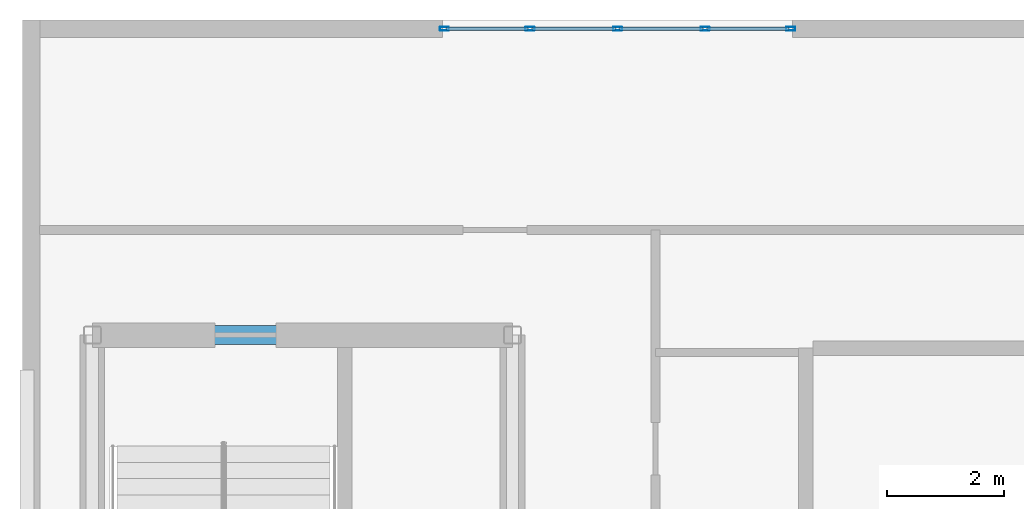
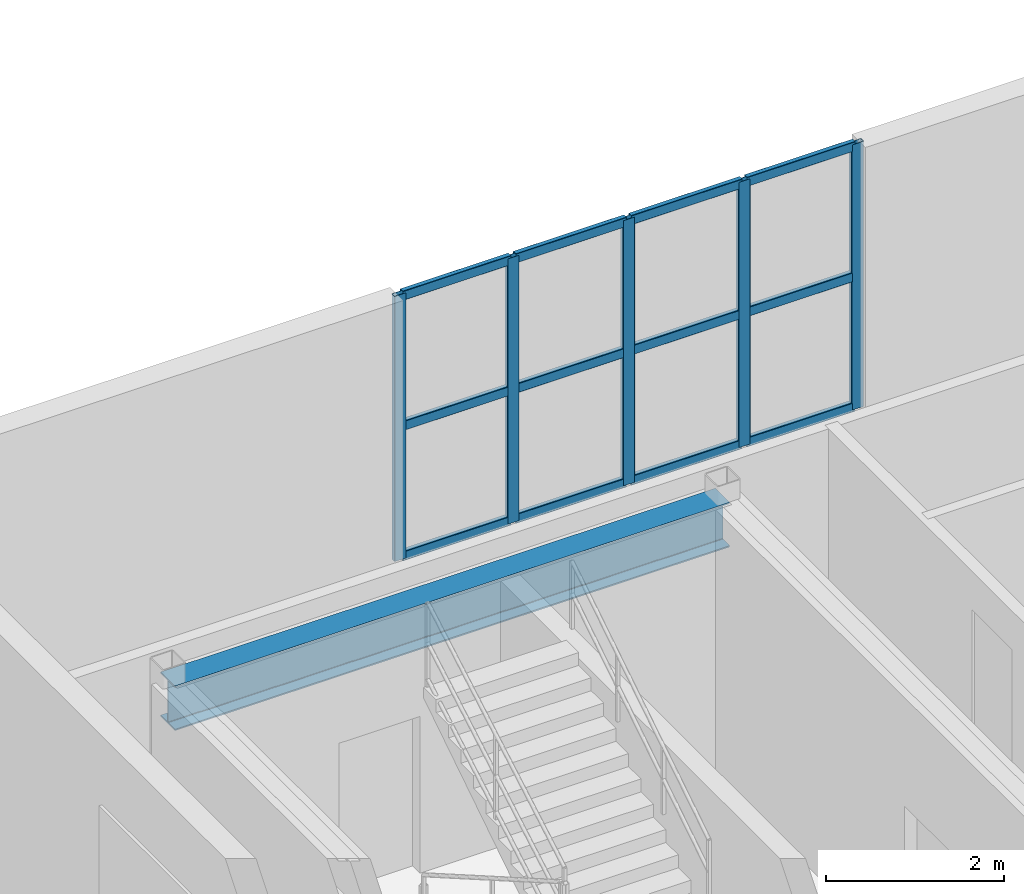
# One storey, part 3 of 6: 17 members, 1 beam, 1 element without a shape of its own.
"""IFC4 building model written with IfcOpenShell, lengths in metres."""

import ifcopenshell
import ifcopenshell.guid

model = None  # the IFC model being written
_history = None  # IfcOwnerHistory: only IFC2X3 demands one
_inside = {}  # id of a spatial element -> (the spatial element, [elements in it])
_under = {}  # id of a project, library or spatial element -> (it, [spatial elements below it])
_declared = {}  # id of a project -> (the project, [libraries it declares])
_typed = {}  # id of a type object -> (the type object, [elements of that type])
_made_of = {}  # id of a material, layer set ... -> (it, [elements and type objects made of it])


def new_model(schema):
    """Start an empty IFC model of exactly this schema.

    Asked for "IFC4X3", IfcOpenShell would pick the latest addendum, in which some entities
    have other attributes; the version numbers below select the first issue.
    IFC2X3 requires an IfcOwnerHistory on every rooted entity: one is made here for all.
    """
    global model, _history
    if schema == "IFC4X3":
        model = ifcopenshell.file(schema_version=(4, 3, 0, 0))
    else:
        model = ifcopenshell.file(schema=schema)
    _inside.clear()
    _under.clear()
    _declared.clear()
    _typed.clear()
    _made_of.clear()
    _history = None
    if model.schema == "IFC2X3":
        org = make("IfcOrganization", Name="unknown")
        user = make(
            "IfcPersonAndOrganization",
            ThePerson=make("IfcPerson", FamilyName="unknown"),
            TheOrganization=org,
        )
        app = make(
            "IfcApplication",
            ApplicationDeveloper=org,
            Version="unknown",
            ApplicationFullName="unknown",
            ApplicationIdentifier="unknown",
        )
        _history = make(
            "IfcOwnerHistory",
            OwningUser=user,
            OwningApplication=app,
            ChangeAction="ADDED",
            CreationDate=0,
        )
    return model


def make(cls, **values):
    """One entity of the class cls with the attributes given. An attribute that is None is left unset."""
    return model.create_entity(
        cls, **{name: value for name, value in values.items() if value is not None}
    )


def entity(cls, *values):
    """Any entity or typed value of the class cls, its attributes in the order of the schema. None: left unset."""
    e = model.create_entity(cls)
    for i, value in enumerate(values):
        if value is not None:
            e[i] = value
    return e


def rooted(cls, **values):
    """An entity with a GlobalId (a new one), such as an element, a storey or a relation."""
    return make(cls, GlobalId=ifcopenshell.guid.new(), OwnerHistory=_history, **values)


def si_unit(unit_type, name, prefix=None):
    """IfcSIUnit, for example si_unit("LENGTHUNIT", "METRE", prefix="MILLI")."""
    return make("IfcSIUnit", UnitType=unit_type, Prefix=prefix, Name=name)


def converted_unit(unit_type, name, factor, base, dimensions=None, offset=None):
    """IfcConversionBasedUnit, such as the inch: factor (a typed value) times the base unit."""
    return make(
        "IfcConversionBasedUnit"
        if offset is None
        else "IfcConversionBasedUnitWithOffset",
        ConversionOffset=offset,
        Dimensions=None
        if dimensions is None
        else entity("IfcDimensionalExponents", *dimensions),
        UnitType=unit_type,
        Name=name,
        ConversionFactor=make(
            "IfcMeasureWithUnit", ValueComponent=factor, UnitComponent=base
        ),
    )


def assignment(units):
    """IfcUnitAssignment: the units of a project."""
    return None if units is None else make("IfcUnitAssignment", Units=units)


def point(xyz):
    """IfcCartesianPoint."""
    return None if xyz is None else make("IfcCartesianPoint", Coordinates=xyz)


def direction(xyz):
    """IfcDirection."""
    return None if xyz is None else make("IfcDirection", DirectionRatios=xyz)


def frame(location, z_axis=None, x_axis=None):
    """IfcAxis2Placement3D, a coordinate frame: its origin and axes. An axis left out is left unset."""
    return make(
        "IfcAxis2Placement3D",
        Location=point(location),
        Axis=direction(z_axis),
        RefDirection=direction(x_axis),
    )


def frame_2d(location, x_axis=None):
    """IfcAxis2Placement2D, a coordinate frame in the plane: its origin and x axis."""
    return make(
        "IfcAxis2Placement2D", Location=point(location), RefDirection=direction(x_axis)
    )


def origin_with_axes():
    """The frame at (0, 0, 0) with the z axis (0, 0, 1) and the x axis (1, 0, 0) written out."""
    return frame((0.0, 0.0, 0.0), z_axis=(0.0, 0.0, 1.0), x_axis=(1.0, 0.0, 0.0))


def origin_2d_with_axis():
    """The frame at (0, 0) in the plane with the x axis (1, 0) written out."""
    return frame_2d((0.0, 0.0), x_axis=(1.0, 0.0))


def place(relative_to, where):
    """IfcLocalPlacement: puts the frame where relative to a parent placement (None: the world)."""
    return make(
        "IfcLocalPlacement", PlacementRelTo=relative_to, RelativePlacement=where
    )


def context(
    kind, dimensions, precision=None, world=None, true_north=None, identifier=None
):
    """IfcGeometricRepresentationContext, for example the 3D "Model" context."""
    return make(
        "IfcGeometricRepresentationContext",
        ContextIdentifier=identifier,
        ContextType=kind,
        CoordinateSpaceDimension=dimensions,
        Precision=precision,
        WorldCoordinateSystem=world,
        TrueNorth=true_north,
    )


def subcontext(parent, identifier, kind, view, scale=None):
    """IfcGeometricRepresentationSubContext, for example "Body" below "Model"."""
    return make(
        "IfcGeometricRepresentationSubContext",
        ContextIdentifier=identifier,
        ContextType=kind,
        ParentContext=parent,
        TargetScale=scale,
        TargetView=view,
    )


def project(units=None, contexts=None):
    """IfcProject with its units and contexts."""
    return rooted(
        "IfcProject",
        Name="project",
        RepresentationContexts=contexts,
        UnitsInContext=assignment(units),
    )


def spatial(cls, under=None, at=None, **own):
    """A site, building, storey or space (cls), placed at a placement, below another one or the project."""
    s = rooted(cls, ObjectPlacement=at, **own)
    if under is not None:
        _under.setdefault(under.id(), (under, []))[1].append(s)
    return s


def profile(cls, at=None, kind="AREA", **sizes):
    """A parametric profile (cls). Its sizes go by their IFC names, for example OverallWidth=200.0."""
    return make(cls, ProfileType=kind, Position=at, **sizes)


def hollow_rectangle(**sizes):
    """IfcRectangleHollowProfileDef."""
    return profile("IfcRectangleHollowProfileDef", **sizes)


def i_section(**sizes):
    """IfcIShapeProfileDef."""
    return profile("IfcIShapeProfileDef", **sizes)


def extrude(swept, where, along, depth):
    """IfcExtrudedAreaSolid: the profile swept, set in the frame where, extruded along a direction by depth."""
    return make(
        "IfcExtrudedAreaSolid",
        SweptArea=swept,
        Position=where,
        ExtrudedDirection=direction(along),
        Depth=depth,
    )


def shape(context_of_items, identifier, shape_type, items):
    """IfcShapeRepresentation: the items that make up one representation, for example the "Body"."""
    return make(
        "IfcShapeRepresentation",
        ContextOfItems=context_of_items,
        RepresentationIdentifier=identifier,
        RepresentationType=shape_type,
        Items=items,
    )


def material(Name=None, Category=None):
    """IfcMaterial."""
    return make("IfcMaterial", Name=Name, Category=Category)


def material_profile(
    of_material, cross_section, Name=None, Category=None, Priority=None
):
    """IfcMaterialProfile: a cross section and its material."""
    return make(
        "IfcMaterialProfile",
        Name=Name,
        Material=of_material,
        Profile=cross_section,
        Priority=Priority,
        Category=Category,
    )


def profile_set(profiles, Name=None, composite=None):
    """IfcMaterialProfileSet."""
    return make(
        "IfcMaterialProfileSet",
        Name=Name,
        MaterialProfiles=profiles,
        CompositeProfile=composite,
    )


def made_of(thing, what):
    """Note that an element or type object is made of a material, layer set ...; save() writes the relation."""
    if what is not None:
        _made_of.setdefault(what.id(), (what, []))[1].append(thing)
    return thing


def type_object(cls, material=None, **own):
    """A type object (cls), such as IfcWallType, which elements share."""
    return made_of(rooted(cls, **own), material)


def element(
    cls,
    number,
    at=None,
    inside=None,
    cuts=None,
    type_object=None,
    material=None,
    context=None,
    identifier="Body",
    shape_type=None,
    held_by="IfcProductDefinitionShape",
    body=None,
    shapes=None,
    **own,
):
    """One element of the class cls, such as IfcWall. Its Tag is "e" and its number.

    at: its placement. inside: the storey or other place that contains it. cuts: it is an
    opening in that element (IfcRelVoidsElement). A single representation is given by context,
    identifier, shape_type and body (its items); several are given by shapes. held_by: the class
    of the entity that holds the representations. save() writes the other relations.
    """
    e = rooted(cls, Tag="e%d" % number, ObjectPlacement=at, **own)
    if body is not None:
        shapes = [shape(context, identifier, shape_type, body)]
    if shapes is not None:
        e.Representation = make(held_by, Representations=shapes)
    if inside is not None:
        _inside.setdefault(inside.id(), (inside, []))[1].append(e)
    if cuts is not None:
        rooted(
            "IfcRelVoidsElement", RelatingBuildingElement=cuts, RelatedOpeningElement=e
        )
    if type_object is not None:
        _typed.setdefault(type_object.id(), (type_object, []))[1].append(e)
    return made_of(e, material)


def aggregate(whole, parts):
    """IfcRelAggregates: a whole, such as a stair, and the parts it consists of."""
    return rooted("IfcRelAggregates", RelatingObject=whole, RelatedObjects=parts)


def save(model, path):
    """Write the relations noted so far, then the file.

    IfcRelAggregates (storeys below a building ...), IfcRelContainedInSpatialStructure (elements
    in a storey), IfcRelDefinesByType, IfcRelAssociatesMaterial and IfcRelDeclares: one each for
    every whole, place, type object, material and project.
    """
    for whole, parts in _under.values():
        aggregate(whole, parts)
    for where, things in _inside.values():
        rooted(
            "IfcRelContainedInSpatialStructure",
            RelatedElements=things,
            RelatingStructure=where,
        )
    for kind, things in _typed.values():
        rooted("IfcRelDefinesByType", RelatedObjects=things, RelatingType=kind)
    for what, things in _made_of.values():
        rooted("IfcRelAssociatesMaterial", RelatedObjects=things, RelatingMaterial=what)
    for by, libraries in _declared.values():
        rooted("IfcRelDeclares", RelatingContext=by, RelatedDefinitions=libraries)
    model.write(path)


model = new_model("IFC4")

# Units and contexts
model_context = context("Model", 3, precision=1e-05, world=origin_with_axes(), true_north=direction((0.0, 1.0)))
body_context = subcontext(model_context, "Body", "Model", "MODEL_VIEW")
ifc_project = project(units=[si_unit("LENGTHUNIT", "METRE"), si_unit("AREAUNIT", "SQUARE_METRE"), si_unit("VOLUMEUNIT", "CUBIC_METRE"), converted_unit("PLANEANGLEUNIT", "DEGREE", entity("IfcPlaneAngleMeasure", 0.017453292519943295), si_unit("PLANEANGLEUNIT", "RADIAN"), dimensions=[0, 0, 0, 0, 0, 0, 0]), si_unit("MASSUNIT", "GRAM", prefix="KILO"), si_unit("THERMODYNAMICTEMPERATUREUNIT", "KELVIN")], contexts=[model_context])

# Site, building, storey
site_placement = place(None, origin_with_axes())
site = spatial("IfcSite", under=ifc_project, at=site_placement, CompositionType="ELEMENT")
building_placement = place(site_placement, origin_with_axes())
building = spatial("IfcBuilding", under=site, at=building_placement, Name="Varnlund Millrace Tower", CompositionType="ELEMENT")
storey_placement = place(building_placement, frame((0.0, 0.0, 320.4), z_axis=(0.0, 0.0, 1.0), x_axis=(1.0, 0.0, 0.0)))
storey = spatial("IfcBuildingStorey", under=building, at=storey_placement, Name="L79", CompositionType="ELEMENT", Elevation=320.4)

# Curtain wall, members
ifc_material_1 = material(Name="Thermally broken architectural bronze curtain wall", Category="aluminium")
curtain_wall_type = type_object("IfcCurtainWallType", Name="Type-CW-Sys7-CrownLantern", PredefinedType="NOTDEFINED", material=ifc_material_1)
curtain_wall_placement = place(storey_placement, frame((17.4, 43.05, 0.0), z_axis=(0.0, 0.0, 1.0), x_axis=(1.0, 0.0, 0.0)))
curtain_wall = element("IfcCurtainWall", 1, at=curtain_wall_placement, inside=storey, type_object=curtain_wall_type, Name="Type-CW-Sys7-CrownLantern", PredefinedType="NOTDEFINED")
ifc_material_2 = material(Name="Architectural bronze aluminium alloy 6063-T6", Category="aluminium")
ifc_material_profile_1 = material_profile(ifc_material_2, hollow_rectangle(XDim=0.065, YDim=0.155, WallThickness=0.0045, InnerFilletRadius=0.004, OuterFilletRadius=0.009, at=origin_2d_with_axis()), Name="Architectural bronze aluminium alloy 6063-T6")
ifc_profile_set_1 = profile_set([ifc_material_profile_1], Name="Architectural bronze aluminium alloy 6063-T6")
member_type_1 = type_object("IfcMemberType", Name="Type-CW-Mullion-65X155", PredefinedType="MULLION", material=ifc_profile_set_1)
member_1_placement = place(storey_placement, frame((17.4325, 43.05, 0.0), z_axis=(0.0, 0.0, 1.0), x_axis=(0.0, 1.0, 0.0)))
member_1 = element("IfcMember", 2, at=member_1_placement, type_object=member_type_1, Name="CW-07 mullion 1", PredefinedType="MULLION", context=body_context, shape_type="SweptSolid", body=[
    extrude(hollow_rectangle(XDim=0.065, YDim=0.155, WallThickness=0.0045, InnerFilletRadius=0.004, OuterFilletRadius=0.009, at=origin_2d_with_axis()), origin_with_axes(), (0.0, 0.0, 1.0), 3.64),
])
member_2_placement = place(storey_placement, frame((18.9, 43.05, 0.0), z_axis=(0.0, 0.0, 1.0), x_axis=(0.0, 1.0, 0.0)))
member_2 = element("IfcMember", 3, at=member_2_placement, type_object=member_type_1, Name="CW-07 mullion 2", PredefinedType="MULLION", context=body_context, shape_type="SweptSolid", body=[
    extrude(hollow_rectangle(XDim=0.065, YDim=0.155, WallThickness=0.0045, InnerFilletRadius=0.004, OuterFilletRadius=0.009, at=origin_2d_with_axis()), origin_with_axes(), (0.0, 0.0, 1.0), 3.64),
])
member_3_placement = place(storey_placement, frame((20.4, 43.05, 0.0), z_axis=(0.0, 0.0, 1.0), x_axis=(0.0, 1.0, 0.0)))
member_3 = element("IfcMember", 4, at=member_3_placement, type_object=member_type_1, Name="CW-07 mullion 3", PredefinedType="MULLION", context=body_context, shape_type="SweptSolid", body=[
    extrude(hollow_rectangle(XDim=0.065, YDim=0.155, WallThickness=0.0045, InnerFilletRadius=0.004, OuterFilletRadius=0.009, at=origin_2d_with_axis()), origin_with_axes(), (0.0, 0.0, 1.0), 3.64),
])
member_4_placement = place(storey_placement, frame((21.9, 43.05, 0.0), z_axis=(0.0, 0.0, 1.0), x_axis=(0.0, 1.0, 0.0)))
member_4 = element("IfcMember", 5, at=member_4_placement, type_object=member_type_1, Name="CW-07 mullion 4", PredefinedType="MULLION", context=body_context, shape_type="SweptSolid", body=[
    extrude(hollow_rectangle(XDim=0.065, YDim=0.155, WallThickness=0.0045, InnerFilletRadius=0.004, OuterFilletRadius=0.009, at=origin_2d_with_axis()), origin_with_axes(), (0.0, 0.0, 1.0), 3.64),
])
member_5_placement = place(storey_placement, frame((23.3675, 43.05, 0.0), z_axis=(0.0, 0.0, 1.0), x_axis=(0.0, 1.0, 0.0)))
member_5 = element("IfcMember", 6, at=member_5_placement, type_object=member_type_1, Name="CW-07 mullion 5", PredefinedType="MULLION", context=body_context, shape_type="SweptSolid", body=[
    extrude(hollow_rectangle(XDim=0.065, YDim=0.155, WallThickness=0.0045, InnerFilletRadius=0.004, OuterFilletRadius=0.009, at=origin_2d_with_axis()), origin_with_axes(), (0.0, 0.0, 1.0), 3.64),
])
ifc_material_profile_2 = material_profile(ifc_material_2, hollow_rectangle(XDim=0.065, YDim=0.13, WallThickness=0.0045, InnerFilletRadius=0.004, OuterFilletRadius=0.009, at=origin_2d_with_axis()), Name="Architectural bronze aluminium alloy 6063-T6")
ifc_profile_set_2 = profile_set([ifc_material_profile_2], Name="Architectural bronze aluminium alloy 6063-T6")
member_type_2 = type_object("IfcMemberType", Name="Type-CW-Transom-65X130", PredefinedType="USERDEFINED", material=ifc_profile_set_2)
member_6_placement = place(storey_placement, frame((17.465, 43.05, 0.0325), z_axis=(1.0, 0.0, 0.0), x_axis=(0.0, 1.0, 0.0)))
member_6 = element("IfcMember", 7, at=member_6_placement, type_object=member_type_2, Name="CW-07 transom 1.1", ObjectType="TRANSOM", PredefinedType="USERDEFINED", context=body_context, shape_type="SweptSolid", body=[
    extrude(hollow_rectangle(XDim=0.065, YDim=0.13, WallThickness=0.0045, InnerFilletRadius=0.004, OuterFilletRadius=0.009, at=origin_2d_with_axis()), origin_with_axes(), (0.0, 0.0, 1.0), 1.4025),
])
member_7_placement = place(storey_placement, frame((17.465, 43.05, 1.82), z_axis=(1.0, 0.0, 0.0), x_axis=(0.0, 1.0, 0.0)))
member_7 = element("IfcMember", 8, at=member_7_placement, type_object=member_type_2, Name="CW-07 transom 1.2", ObjectType="TRANSOM", PredefinedType="USERDEFINED", context=body_context, shape_type="SweptSolid", body=[
    extrude(hollow_rectangle(XDim=0.065, YDim=0.13, WallThickness=0.0045, InnerFilletRadius=0.004, OuterFilletRadius=0.009, at=origin_2d_with_axis()), origin_with_axes(), (0.0, 0.0, 1.0), 1.4025),
])
member_8_placement = place(storey_placement, frame((17.465, 43.05, 3.6075), z_axis=(1.0, 0.0, 0.0), x_axis=(0.0, 1.0, 0.0)))
member_8 = element("IfcMember", 9, at=member_8_placement, type_object=member_type_2, Name="CW-07 transom 1.3", ObjectType="TRANSOM", PredefinedType="USERDEFINED", context=body_context, shape_type="SweptSolid", body=[
    extrude(hollow_rectangle(XDim=0.065, YDim=0.13, WallThickness=0.0045, InnerFilletRadius=0.004, OuterFilletRadius=0.009, at=origin_2d_with_axis()), origin_with_axes(), (0.0, 0.0, 1.0), 1.4025),
])
member_9_placement = place(storey_placement, frame((18.9325, 43.05, 0.0325), z_axis=(1.0, 0.0, 0.0), x_axis=(0.0, 1.0, 0.0)))
member_9 = element("IfcMember", 10, at=member_9_placement, type_object=member_type_2, Name="CW-07 transom 2.1", ObjectType="TRANSOM", PredefinedType="USERDEFINED", context=body_context, shape_type="SweptSolid", body=[
    extrude(hollow_rectangle(XDim=0.065, YDim=0.13, WallThickness=0.0045, InnerFilletRadius=0.004, OuterFilletRadius=0.009, at=origin_2d_with_axis()), origin_with_axes(), (0.0, 0.0, 1.0), 1.435),
])
member_10_placement = place(storey_placement, frame((18.9325, 43.05, 1.82), z_axis=(1.0, 0.0, 0.0), x_axis=(0.0, 1.0, 0.0)))
member_10 = element("IfcMember", 11, at=member_10_placement, type_object=member_type_2, Name="CW-07 transom 2.2", ObjectType="TRANSOM", PredefinedType="USERDEFINED", context=body_context, shape_type="SweptSolid", body=[
    extrude(hollow_rectangle(XDim=0.065, YDim=0.13, WallThickness=0.0045, InnerFilletRadius=0.004, OuterFilletRadius=0.009, at=origin_2d_with_axis()), origin_with_axes(), (0.0, 0.0, 1.0), 1.435),
])
member_11_placement = place(storey_placement, frame((18.9325, 43.05, 3.6075), z_axis=(1.0, 0.0, 0.0), x_axis=(0.0, 1.0, 0.0)))
member_11 = element("IfcMember", 12, at=member_11_placement, type_object=member_type_2, Name="CW-07 transom 2.3", ObjectType="TRANSOM", PredefinedType="USERDEFINED", context=body_context, shape_type="SweptSolid", body=[
    extrude(hollow_rectangle(XDim=0.065, YDim=0.13, WallThickness=0.0045, InnerFilletRadius=0.004, OuterFilletRadius=0.009, at=origin_2d_with_axis()), origin_with_axes(), (0.0, 0.0, 1.0), 1.435),
])
member_12_placement = place(storey_placement, frame((20.4325, 43.05, 0.0325), z_axis=(1.0, 0.0, 0.0), x_axis=(0.0, 1.0, 0.0)))
member_12 = element("IfcMember", 13, at=member_12_placement, type_object=member_type_2, Name="CW-07 transom 3.1", ObjectType="TRANSOM", PredefinedType="USERDEFINED", context=body_context, shape_type="SweptSolid", body=[
    extrude(hollow_rectangle(XDim=0.065, YDim=0.13, WallThickness=0.0045, InnerFilletRadius=0.004, OuterFilletRadius=0.009, at=origin_2d_with_axis()), origin_with_axes(), (0.0, 0.0, 1.0), 1.435),
])
member_13_placement = place(storey_placement, frame((20.4325, 43.05, 1.82), z_axis=(1.0, 0.0, 0.0), x_axis=(0.0, 1.0, 0.0)))
member_13 = element("IfcMember", 14, at=member_13_placement, type_object=member_type_2, Name="CW-07 transom 3.2", ObjectType="TRANSOM", PredefinedType="USERDEFINED", context=body_context, shape_type="SweptSolid", body=[
    extrude(hollow_rectangle(XDim=0.065, YDim=0.13, WallThickness=0.0045, InnerFilletRadius=0.004, OuterFilletRadius=0.009, at=origin_2d_with_axis()), origin_with_axes(), (0.0, 0.0, 1.0), 1.435),
])
member_14_placement = place(storey_placement, frame((20.4325, 43.05, 3.6075), z_axis=(1.0, 0.0, 0.0), x_axis=(0.0, 1.0, 0.0)))
member_14 = element("IfcMember", 15, at=member_14_placement, type_object=member_type_2, Name="CW-07 transom 3.3", ObjectType="TRANSOM", PredefinedType="USERDEFINED", context=body_context, shape_type="SweptSolid", body=[
    extrude(hollow_rectangle(XDim=0.065, YDim=0.13, WallThickness=0.0045, InnerFilletRadius=0.004, OuterFilletRadius=0.009, at=origin_2d_with_axis()), origin_with_axes(), (0.0, 0.0, 1.0), 1.435),
])
member_15_placement = place(storey_placement, frame((21.9325, 43.05, 0.0325), z_axis=(1.0, 0.0, 0.0), x_axis=(0.0, 1.0, 0.0)))
member_15 = element("IfcMember", 16, at=member_15_placement, type_object=member_type_2, Name="CW-07 transom 4.1", ObjectType="TRANSOM", PredefinedType="USERDEFINED", context=body_context, shape_type="SweptSolid", body=[
    extrude(hollow_rectangle(XDim=0.065, YDim=0.13, WallThickness=0.0045, InnerFilletRadius=0.004, OuterFilletRadius=0.009, at=origin_2d_with_axis()), origin_with_axes(), (0.0, 0.0, 1.0), 1.4025),
])
member_16_placement = place(storey_placement, frame((21.9325, 43.05, 1.82), z_axis=(1.0, 0.0, 0.0), x_axis=(0.0, 1.0, 0.0)))
member_16 = element("IfcMember", 17, at=member_16_placement, type_object=member_type_2, Name="CW-07 transom 4.2", ObjectType="TRANSOM", PredefinedType="USERDEFINED", context=body_context, shape_type="SweptSolid", body=[
    extrude(hollow_rectangle(XDim=0.065, YDim=0.13, WallThickness=0.0045, InnerFilletRadius=0.004, OuterFilletRadius=0.009, at=origin_2d_with_axis()), origin_with_axes(), (0.0, 0.0, 1.0), 1.4025),
])
member_17_placement = place(storey_placement, frame((21.9325, 43.05, 3.6075), z_axis=(1.0, 0.0, 0.0), x_axis=(0.0, 1.0, 0.0)))
member_17 = element("IfcMember", 18, at=member_17_placement, type_object=member_type_2, Name="CW-07 transom 4.3", ObjectType="TRANSOM", PredefinedType="USERDEFINED", context=body_context, shape_type="SweptSolid", body=[
    extrude(hollow_rectangle(XDim=0.065, YDim=0.13, WallThickness=0.0045, InnerFilletRadius=0.004, OuterFilletRadius=0.009, at=origin_2d_with_axis()), origin_with_axes(), (0.0, 0.0, 1.0), 1.4025),
])
aggregate(curtain_wall, [member_1, member_2, member_3, member_4, member_5, member_6, member_7, member_8, member_9, member_10, member_11, member_12, member_13, member_14, member_15, member_16, member_17])

# Beam
ifc_material_3 = material(Name="Steel ASTM A992 Grade 50", Category="steel")
ifc_material_profile_3 = material_profile(ifc_material_3, i_section(OverallWidth=0.324, OverallDepth=0.611, WebThickness=0.0127, FlangeThickness=0.0191, FilletRadius=0.016, at=origin_2d_with_axis()), Name="Steel ASTM A992 Grade 50")
ifc_profile_set_3 = profile_set([ifc_material_profile_3], Name="Steel ASTM A992 Grade 50")
beam_type = type_object("IfcBeamType", Name="Type-Girder-W24X104", PredefinedType="USERDEFINED", material=ifc_profile_set_3)
beam_placement = place(storey_placement, frame((11.4, 37.8, 3.3345), z_axis=(1.0, 0.0, 0.0), x_axis=(0.0, 1.0, 0.0)))
element("IfcBeam", 19, at=beam_placement, inside=storey, type_object=beam_type, Name="Type-Girder-W24X104", ObjectType="GIRDER", PredefinedType="USERDEFINED", context=body_context, shape_type="SweptSolid", body=[
    extrude(i_section(OverallWidth=0.324, OverallDepth=0.611, WebThickness=0.0127, FlangeThickness=0.0191, FilletRadius=0.016, at=origin_2d_with_axis()), origin_with_axes(), (0.0, 0.0, 1.0), 7.2),
])

save(model, "model.ifc")
